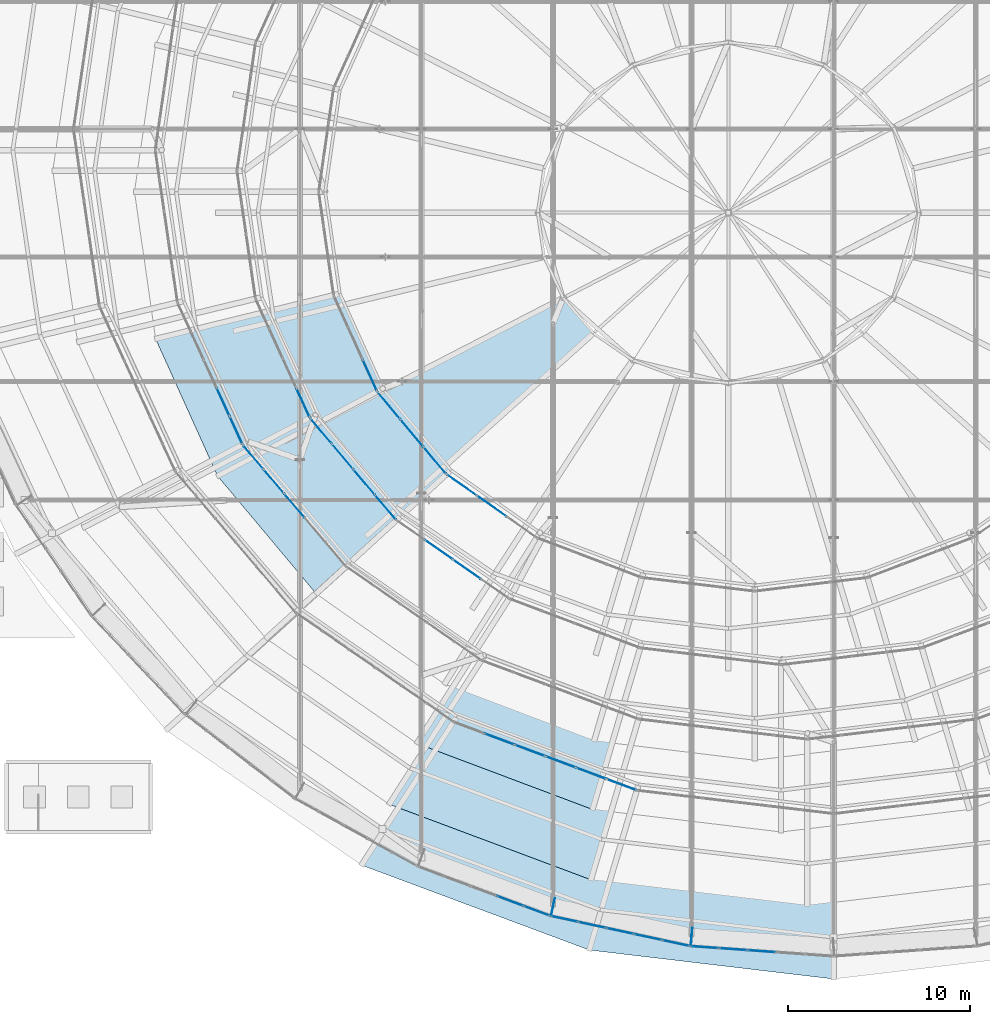
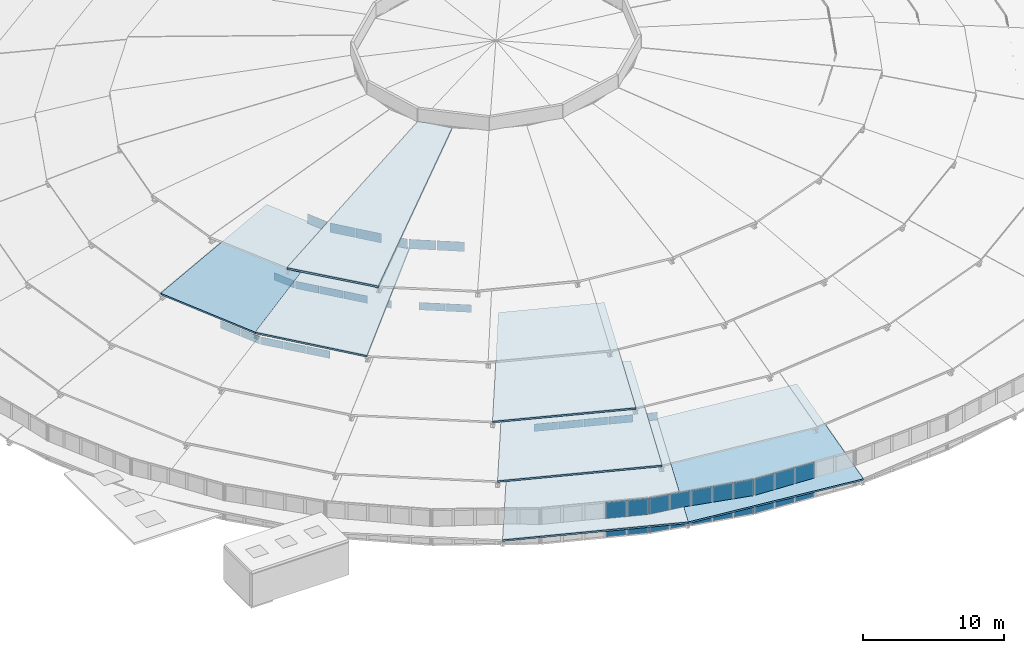
# One storey, part 143 of 173: 45 plates, 7 slabs, 17 elements without a shape of their own.
"""IFC4 building model written with IfcOpenShell, lengths in metres."""

import ifcopenshell
import ifcopenshell.guid

model = None  # the IFC model being written
_history = None  # IfcOwnerHistory: only IFC2X3 demands one
_inside = {}  # id of a spatial element -> (the spatial element, [elements in it])
_under = {}  # id of a project, library or spatial element -> (it, [spatial elements below it])
_declared = {}  # id of a project -> (the project, [libraries it declares])
_typed = {}  # id of a type object -> (the type object, [elements of that type])
_made_of = {}  # id of a material, layer set ... -> (it, [elements and type objects made of it])


def new_model(schema):
    """Start an empty IFC model of exactly this schema.

    Asked for "IFC4X3", IfcOpenShell would pick the latest addendum, in which some entities
    have other attributes; the version numbers below select the first issue.
    IFC2X3 requires an IfcOwnerHistory on every rooted entity: one is made here for all.
    """
    global model, _history
    if schema == "IFC4X3":
        model = ifcopenshell.file(schema_version=(4, 3, 0, 0))
    else:
        model = ifcopenshell.file(schema=schema)
    _inside.clear()
    _under.clear()
    _declared.clear()
    _typed.clear()
    _made_of.clear()
    _history = None
    if model.schema == "IFC2X3":
        org = make("IfcOrganization", Name="unknown")
        user = make(
            "IfcPersonAndOrganization",
            ThePerson=make("IfcPerson", FamilyName="unknown"),
            TheOrganization=org,
        )
        app = make(
            "IfcApplication",
            ApplicationDeveloper=org,
            Version="unknown",
            ApplicationFullName="unknown",
            ApplicationIdentifier="unknown",
        )
        _history = make(
            "IfcOwnerHistory",
            OwningUser=user,
            OwningApplication=app,
            ChangeAction="ADDED",
            CreationDate=0,
        )
    return model


def make(cls, **values):
    """One entity of the class cls with the attributes given. An attribute that is None is left unset."""
    return model.create_entity(
        cls, **{name: value for name, value in values.items() if value is not None}
    )


def rooted(cls, **values):
    """An entity with a GlobalId (a new one), such as an element, a storey or a relation."""
    return make(cls, GlobalId=ifcopenshell.guid.new(), OwnerHistory=_history, **values)


def si_unit(unit_type, name, prefix=None):
    """IfcSIUnit, for example si_unit("LENGTHUNIT", "METRE", prefix="MILLI")."""
    return make("IfcSIUnit", UnitType=unit_type, Prefix=prefix, Name=name)


def assignment(units):
    """IfcUnitAssignment: the units of a project."""
    return None if units is None else make("IfcUnitAssignment", Units=units)


def point(xyz):
    """IfcCartesianPoint."""
    return None if xyz is None else make("IfcCartesianPoint", Coordinates=xyz)


def direction(xyz):
    """IfcDirection."""
    return None if xyz is None else make("IfcDirection", DirectionRatios=xyz)


def frame(location, z_axis=None, x_axis=None):
    """IfcAxis2Placement3D, a coordinate frame: its origin and axes. An axis left out is left unset."""
    return make(
        "IfcAxis2Placement3D",
        Location=point(location),
        Axis=direction(z_axis),
        RefDirection=direction(x_axis),
    )


def frame_2d(location, x_axis=None):
    """IfcAxis2Placement2D, a coordinate frame in the plane: its origin and x axis."""
    return make(
        "IfcAxis2Placement2D", Location=point(location), RefDirection=direction(x_axis)
    )


def origin():
    """The frame at (0, 0, 0) with its axes left unset."""
    return frame((0.0, 0.0, 0.0))


def origin_2d():
    """The frame at (0, 0) in the plane with its x axis left unset."""
    return frame_2d((0.0, 0.0))


def place(relative_to, where):
    """IfcLocalPlacement: puts the frame where relative to a parent placement (None: the world)."""
    return make(
        "IfcLocalPlacement", PlacementRelTo=relative_to, RelativePlacement=where
    )


def context(
    kind, dimensions, precision=None, world=None, true_north=None, identifier=None
):
    """IfcGeometricRepresentationContext, for example the 3D "Model" context."""
    return make(
        "IfcGeometricRepresentationContext",
        ContextIdentifier=identifier,
        ContextType=kind,
        CoordinateSpaceDimension=dimensions,
        Precision=precision,
        WorldCoordinateSystem=world,
        TrueNorth=true_north,
    )


def subcontext(parent, identifier, kind, view, scale=None):
    """IfcGeometricRepresentationSubContext, for example "Body" below "Model"."""
    return make(
        "IfcGeometricRepresentationSubContext",
        ContextIdentifier=identifier,
        ContextType=kind,
        ParentContext=parent,
        TargetScale=scale,
        TargetView=view,
    )


def project(units=None, contexts=None):
    """IfcProject with its units and contexts."""
    return rooted(
        "IfcProject",
        Name="project",
        RepresentationContexts=contexts,
        UnitsInContext=assignment(units),
    )


def spatial(cls, under=None, at=None, **own):
    """A site, building, storey or space (cls), placed at a placement, below another one or the project."""
    s = rooted(cls, ObjectPlacement=at, **own)
    if under is not None:
        _under.setdefault(under.id(), (under, []))[1].append(s)
    return s


def polyline(points):
    """IfcPolyline through the points."""
    return make("IfcPolyline", Points=[point(p) for p in points])


def profile(cls, at=None, kind="AREA", **sizes):
    """A parametric profile (cls). Its sizes go by their IFC names, for example OverallWidth=200.0."""
    return make(cls, ProfileType=kind, Position=at, **sizes)


def rectangle(**sizes):
    """IfcRectangleProfileDef."""
    return profile("IfcRectangleProfileDef", **sizes)


def outline(outer, holes=None, kind="AREA"):
    """IfcArbitraryClosedProfileDef: a profile drawn as a closed curve; with holes, ...WithVoids."""
    if holes is None:
        return make("IfcArbitraryClosedProfileDef", ProfileType=kind, OuterCurve=outer)
    return make(
        "IfcArbitraryProfileDefWithVoids",
        ProfileType=kind,
        OuterCurve=outer,
        InnerCurves=holes,
    )


def extrude(swept, where, along, depth):
    """IfcExtrudedAreaSolid: the profile swept, set in the frame where, extruded along a direction by depth."""
    return make(
        "IfcExtrudedAreaSolid",
        SweptArea=swept,
        Position=where,
        ExtrudedDirection=direction(along),
        Depth=depth,
    )


def shape(context_of_items, identifier, shape_type, items):
    """IfcShapeRepresentation: the items that make up one representation, for example the "Body"."""
    return make(
        "IfcShapeRepresentation",
        ContextOfItems=context_of_items,
        RepresentationIdentifier=identifier,
        RepresentationType=shape_type,
        Items=items,
    )


def material(Name=None, Category=None):
    """IfcMaterial."""
    return make("IfcMaterial", Name=Name, Category=Category)


def layer(
    of_material, thickness, ventilated=None, Name=None, Category=None, Priority=None
):
    """IfcMaterialLayer: one layer of a wall or slab, of a material (None: an air gap)."""
    return make(
        "IfcMaterialLayer",
        Material=of_material,
        LayerThickness=thickness,
        IsVentilated=ventilated,
        Name=Name,
        Category=Category,
        Priority=Priority,
    )


def layer_set(layers, Name=None):
    """IfcMaterialLayerSet."""
    return make("IfcMaterialLayerSet", MaterialLayers=layers, LayerSetName=Name)


def made_of(thing, what):
    """Note that an element or type object is made of a material, layer set ...; save() writes the relation."""
    if what is not None:
        _made_of.setdefault(what.id(), (what, []))[1].append(thing)
    return thing


def type_object(cls, material=None, **own):
    """A type object (cls), such as IfcWallType, which elements share."""
    return made_of(rooted(cls, **own), material)


def element(
    cls,
    number,
    at=None,
    inside=None,
    cuts=None,
    type_object=None,
    material=None,
    context=None,
    identifier="Body",
    shape_type=None,
    held_by="IfcProductDefinitionShape",
    body=None,
    shapes=None,
    **own,
):
    """One element of the class cls, such as IfcWall. Its Tag is "e" and its number.

    at: its placement. inside: the storey or other place that contains it. cuts: it is an
    opening in that element (IfcRelVoidsElement). A single representation is given by context,
    identifier, shape_type and body (its items); several are given by shapes. held_by: the class
    of the entity that holds the representations. save() writes the other relations.
    """
    e = rooted(cls, Tag="e%d" % number, ObjectPlacement=at, **own)
    if body is not None:
        shapes = [shape(context, identifier, shape_type, body)]
    if shapes is not None:
        e.Representation = make(held_by, Representations=shapes)
    if inside is not None:
        _inside.setdefault(inside.id(), (inside, []))[1].append(e)
    if cuts is not None:
        rooted(
            "IfcRelVoidsElement", RelatingBuildingElement=cuts, RelatedOpeningElement=e
        )
    if type_object is not None:
        _typed.setdefault(type_object.id(), (type_object, []))[1].append(e)
    return made_of(e, material)


def aggregate(whole, parts):
    """IfcRelAggregates: a whole, such as a stair, and the parts it consists of."""
    return rooted("IfcRelAggregates", RelatingObject=whole, RelatedObjects=parts)


def save(model, path):
    """Write the relations noted so far, then the file.

    IfcRelAggregates (storeys below a building ...), IfcRelContainedInSpatialStructure (elements
    in a storey), IfcRelDefinesByType, IfcRelAssociatesMaterial and IfcRelDeclares: one each for
    every whole, place, type object, material and project.
    """
    for whole, parts in _under.values():
        aggregate(whole, parts)
    for where, things in _inside.values():
        rooted(
            "IfcRelContainedInSpatialStructure",
            RelatedElements=things,
            RelatingStructure=where,
        )
    for kind, things in _typed.values():
        rooted("IfcRelDefinesByType", RelatedObjects=things, RelatingType=kind)
    for what, things in _made_of.values():
        rooted("IfcRelAssociatesMaterial", RelatedObjects=things, RelatingMaterial=what)
    for by, libraries in _declared.values():
        rooted("IfcRelDeclares", RelatingContext=by, RelatedDefinitions=libraries)
    model.write(path)


model = new_model("IFC4")

# Units and contexts
model_context = context("Model", 3, precision=1e-05, world=origin(), true_north=direction((0.0, 1.0)))
body_context = subcontext(model_context, "Body", "Model", "MODEL_VIEW")
ifc_project = project(units=[si_unit("LENGTHUNIT", "METRE"), si_unit("AREAUNIT", "SQUARE_METRE"), si_unit("VOLUMEUNIT", "CUBIC_METRE"), si_unit("PLANEANGLEUNIT", "RADIAN"), si_unit("MASSUNIT", "GRAM", prefix="KILO")], contexts=[model_context])

# Site, building, storey
site_placement = place(None, origin())
site = spatial("IfcSite", under=ifc_project, at=site_placement, CompositionType="ELEMENT")
building_placement = place(site_placement, origin())
building = spatial("IfcBuilding", under=site, at=building_placement, Name="Glasvene Arena", CompositionType="ELEMENT")
storey_placement = place(building_placement, frame((0.0, 0.0, 28.800048828125)))
storey = spatial("IfcBuildingStorey", under=building, at=storey_placement, Name="RF", CompositionType="ELEMENT", Elevation=28.800048828125)

# Curtain wall, plates
ifc_material_1 = material(Name="Low-emissivity laminated double glazing", Category="glass")
curtain_wall_type_1 = type_object("IfcCurtainWallType", Name="CW-PET1-1077x75", PredefinedType="USERDEFINED", material=ifc_material_1)
curtain_wall_1_placement = place(storey_placement, frame((71.074951171875, 40.350830078125, 0.0)))
curtain_wall_1 = element("IfcCurtainWall", 1, at=curtain_wall_1_placement, inside=storey, type_object=curtain_wall_type_1, Name="Petal ring 1-2 clerestory curtain wall 17", ObjectType="CURTAIN WALL", PredefinedType="USERDEFINED")
ifc_layer_1 = layer(ifc_material_1, 0.028076171875)
ifc_layer_set_1 = layer_set([ifc_layer_1], Name="Low-emissivity laminated double glazing")
plate_type_1 = type_object("IfcPlateType", Name="CW-GLZ-28", PredefinedType="CURTAIN_PANEL", material=ifc_layer_set_1)
plate_1_placement = place(storey_placement, frame((73.598388671875, 39.4091796875, 2.6298828125), z_axis=(0.0, 0.0, 1.0), x_axis=(0.936902411354, -0.349591006176, 0.0)))
plate_1 = element("IfcPlate", 2, at=plate_1_placement, type_object=plate_type_1, Name="CW-085 panel 2.1", PredefinedType="CURTAIN_PANEL", context=body_context, shape_type="SweptSolid", body=[
    extrude(rectangle(XDim=1.74560546875, YDim=0.028076171875, at=origin_2d()), origin(), (0.0, 0.0, 1.0), 0.64990234375),
])
plate_2_placement = place(storey_placement, frame((75.280517578125, 38.781494140625, 2.6298828125), z_axis=(0.0, 0.0, 1.0), x_axis=(0.936902411354, -0.349591006176, 0.0)))
plate_2 = element("IfcPlate", 3, at=plate_2_placement, type_object=plate_type_1, Name="CW-085 panel 3.1", PredefinedType="CURTAIN_PANEL", context=body_context, shape_type="SweptSolid", body=[
    extrude(rectangle(XDim=1.74560546875, YDim=0.028076171875, at=origin_2d()), origin(), (0.0, 0.0, 1.0), 0.64990234375),
])
plate_3_placement = place(storey_placement, frame((76.962890625, 38.15380859375, 2.6298828125), z_axis=(0.0, 0.0, 1.0), x_axis=(0.936902411354, -0.349591006176, 0.0)))
plate_3 = element("IfcPlate", 4, at=plate_3_placement, type_object=plate_type_1, Name="CW-085 panel 4.1", PredefinedType="CURTAIN_PANEL", context=body_context, shape_type="SweptSolid", body=[
    extrude(rectangle(XDim=1.74560546875, YDim=0.028076171875, at=origin_2d()), origin(), (0.0, 0.0, 1.0), 0.64990234375),
])
plate_4_placement = place(storey_placement, frame((78.64501953125, 37.526123046875, 2.6298828125), z_axis=(0.0, 0.0, 1.0), x_axis=(0.936902411354, -0.349591006176, 0.0)))
plate_4 = element("IfcPlate", 5, at=plate_4_placement, type_object=plate_type_1, Name="CW-085 panel 5.1", PredefinedType="CURTAIN_PANEL", context=body_context, shape_type="SweptSolid", body=[
    extrude(rectangle(XDim=1.74560546875, YDim=0.028076171875, at=origin_2d()), origin(), (0.0, 0.0, 1.0), 0.64990234375),
])
plate_5_placement = place(storey_placement, frame((80.315673828125, 36.90283203125, 2.6298828125), z_axis=(0.0, 0.0, 1.0), x_axis=(0.936902411354, -0.349591006176, 0.0)))
plate_5 = element("IfcPlate", 6, at=plate_5_placement, type_object=plate_type_1, Name="CW-085 panel 6.1", PredefinedType="CURTAIN_PANEL", context=body_context, shape_type="SweptSolid", body=[
    extrude(rectangle(XDim=1.720458984375, YDim=0.028076171875, at=origin_2d()), origin(), (0.0, 0.0, 1.0), 0.64990234375),
])
aggregate(curtain_wall_1, [plate_1, plate_2, plate_3, plate_4, plate_5])

curtain_wall_type_2 = type_object("IfcCurtainWallType", Name="CW-PET2-861x75", PredefinedType="USERDEFINED", material=ifc_material_1)
curtain_wall_2_placement = place(storey_placement, frame((55.873291015625, 63.451416015625, 0.0)))
curtain_wall_2 = element("IfcCurtainWall", 7, at=curtain_wall_2_placement, inside=storey, type_object=curtain_wall_type_2, Name="Petal ring 2-3 clerestory curtain wall 14", ObjectType="CURTAIN WALL", PredefinedType="USERDEFINED")
plate_6_placement = place(storey_placement, frame((58.3837890625, 57.972900390625, 5.22998046875), z_axis=(0.0, 0.0, 1.0), x_axis=(0.416591913749, -0.909093602111, 0.0)))
plate_6 = element("IfcPlate", 8, at=plate_6_placement, type_object=plate_type_1, Name="CW-088 panel 4.1", PredefinedType="CURTAIN_PANEL", context=body_context, shape_type="SweptSolid", body=[
    extrude(rectangle(XDim=1.671875, YDim=0.028076171875, at=origin_2d()), origin(), (0.0, 0.0, 1.0), 0.64990234375),
])
plate_7_placement = place(storey_placement, frame((59.095947265625, 56.4189453125, 5.22998046875), z_axis=(0.0, 0.0, 1.0), x_axis=(0.416591913749, -0.909093602111, 0.0)))
plate_7 = element("IfcPlate", 9, at=plate_7_placement, type_object=plate_type_1, Name="CW-088 panel 5.1", PredefinedType="CURTAIN_PANEL", context=body_context, shape_type="SweptSolid", body=[
    extrude(rectangle(XDim=1.646728515625, YDim=0.028076171875, at=origin_2d()), origin(), (0.0, 0.0, 1.0), 0.64990234375),
])
aggregate(curtain_wall_2, [plate_6, plate_7])

curtain_wall_type_3 = type_object("IfcCurtainWallType", Name="CW-PET2-882x75", PredefinedType="USERDEFINED", material=ifc_material_1)
curtain_wall_3_placement = place(storey_placement, frame((59.459716796875, 55.625, 0.0)))
curtain_wall_3 = element("IfcCurtainWall", 10, at=curtain_wall_3_placement, inside=storey, type_object=curtain_wall_type_3, Name="Petal ring 2-3 clerestory curtain wall 15", ObjectType="CURTAIN WALL", PredefinedType="USERDEFINED")
plate_8_placement = place(storey_placement, frame((60.038330078125, 54.943359375, 5.22998046875), z_axis=(0.0, 0.0, 1.0), x_axis=(0.647166893632, -0.762348353305, 0.0)))
plate_8 = element("IfcPlate", 11, at=plate_8_placement, type_object=plate_type_1, Name="CW-089 panel 1.1", PredefinedType="CURTAIN_PANEL", context=body_context, shape_type="SweptSolid", body=[
    extrude(rectangle(XDim=1.688232421875, YDim=0.028076171875, at=origin_2d()), origin(), (0.0, 0.0, 1.0), 0.64990234375),
])
plate_9_placement = place(storey_placement, frame((61.171142578125, 53.60888671875, 5.22998046875), z_axis=(0.0, 0.0, 1.0), x_axis=(0.647166893632, -0.762348353305, 0.0)))
plate_9 = element("IfcPlate", 12, at=plate_9_placement, type_object=plate_type_1, Name="CW-089 panel 2.1", PredefinedType="CURTAIN_PANEL", context=body_context, shape_type="SweptSolid", body=[
    extrude(rectangle(XDim=1.713134765625, YDim=0.028076171875, at=origin_2d()), origin(), (0.0, 0.0, 1.0), 0.64990234375),
])
plate_10_placement = place(storey_placement, frame((62.312255859375, 52.2646484375, 5.22998046875), z_axis=(0.0, 0.0, 1.0), x_axis=(0.647166893632, -0.762348353305, 0.0)))
plate_10 = element("IfcPlate", 13, at=plate_10_placement, type_object=plate_type_1, Name="CW-089 panel 3.1", PredefinedType="CURTAIN_PANEL", context=body_context, shape_type="SweptSolid", body=[
    extrude(rectangle(XDim=1.713134765625, YDim=0.028076171875, at=origin_2d()), origin(), (0.0, 0.0, 1.0), 0.64990234375),
])
aggregate(curtain_wall_3, [plate_8, plate_9, plate_10])

# Curtain wall, plate
curtain_wall_type_4 = type_object("IfcCurtainWallType", Name="CW-PET3-721x75", PredefinedType="USERDEFINED", material=ifc_material_1)
curtain_wall_4_placement = place(storey_placement, frame((60.17041015625, 63.66015625, 0.0)))
curtain_wall_4 = element("IfcCurtainWall", 14, at=curtain_wall_4_placement, inside=storey, type_object=curtain_wall_type_4, Name="Petal ring 3-4 clerestory curtain wall 14", ObjectType="CURTAIN WALL", PredefinedType="USERDEFINED")
plate_11_placement = place(storey_placement, frame((62.783203125, 57.931396484375, 7.8798828125), z_axis=(0.0, 0.0, 1.0), x_axis=(0.414967716717, -0.909836135842, 0.0)))
plate_11 = element("IfcPlate", 15, at=plate_11_placement, type_object=plate_type_1, Name="CW-094 panel 4.1", PredefinedType="CURTAIN_PANEL", context=body_context, shape_type="SweptSolid", body=[
    extrude(rectangle(XDim=1.7275390625, YDim=0.028076171875, at=origin_2d()), origin(), (0.0, 0.0, 1.0), 0.64990234375),
])
aggregate(curtain_wall_4, [plate_11])

# Curtain wall, plates
curtain_wall_type_5 = type_object("IfcCurtainWallType", Name="CW-PET3-737x75", PredefinedType="USERDEFINED", material=ifc_material_1)
curtain_wall_5_placement = place(storey_placement, frame((63.16259765625, 57.10009765625, 0.0)))
curtain_wall_5 = element("IfcCurtainWall", 16, at=curtain_wall_5_placement, inside=storey, type_object=curtain_wall_type_5, Name="Petal ring 3-4 clerestory curtain wall 15", ObjectType="CURTAIN WALL", PredefinedType="USERDEFINED")
plate_12_placement = place(storey_placement, frame((63.765625, 56.38623046875, 7.8798828125), z_axis=(0.0, 0.0, 1.0), x_axis=(0.645393801566, -0.763850012044, 0.0)))
plate_12 = element("IfcPlate", 17, at=plate_12_placement, type_object=plate_type_1, Name="CW-095 panel 1.1", PredefinedType="CURTAIN_PANEL", context=body_context, shape_type="SweptSolid", body=[
    extrude(rectangle(XDim=1.768798828125, YDim=0.028076171875, at=origin_2d()), origin(), (0.0, 0.0, 1.0), 0.64990234375),
])
plate_13_placement = place(storey_placement, frame((64.947265625, 54.987548828125, 7.8798828125), z_axis=(0.0, 0.0, 1.0), x_axis=(0.645393801566, -0.763850012044, 0.0)))
plate_13 = element("IfcPlate", 18, at=plate_13_placement, type_object=plate_type_1, Name="CW-095 panel 2.1", PredefinedType="CURTAIN_PANEL", context=body_context, shape_type="SweptSolid", body=[
    extrude(rectangle(XDim=1.793701171875, YDim=0.028076171875, at=origin_2d()), origin(), (0.0, 0.0, 1.0), 0.64990234375),
])
plate_14_placement = place(storey_placement, frame((66.13720703125, 53.5791015625, 7.8798828125), z_axis=(0.0, 0.0, 1.0), x_axis=(0.645393801566, -0.763850012044, 0.0)))
plate_14 = element("IfcPlate", 19, at=plate_14_placement, type_object=plate_type_1, Name="CW-095 panel 3.1", PredefinedType="CURTAIN_PANEL", context=body_context, shape_type="SweptSolid", body=[
    extrude(rectangle(XDim=1.793701171875, YDim=0.028076171875, at=origin_2d()), origin(), (0.0, 0.0, 1.0), 0.64990234375),
])
plate_15_placement = place(storey_placement, frame((67.319091796875, 52.180419921875, 7.8798828125), z_axis=(0.0, 0.0, 1.0), x_axis=(0.645393801566, -0.763850012044, 0.0)))
plate_15 = element("IfcPlate", 20, at=plate_15_placement, type_object=plate_type_1, Name="CW-095 panel 4.1", PredefinedType="CURTAIN_PANEL", context=body_context, shape_type="SweptSolid", body=[
    extrude(rectangle(XDim=1.768798828125, YDim=0.028076171875, at=origin_2d()), origin(), (0.0, 0.0, 1.0), 0.64990234375),
])
aggregate(curtain_wall_5, [plate_12, plate_13, plate_14, plate_15])

curtain_wall_type_6 = type_object("IfcCurtainWallType", Name="CW-PET3-756x75", PredefinedType="USERDEFINED", material=ifc_material_1)
curtain_wall_6_placement = place(storey_placement, frame((67.922119140625, 51.466796875, 0.0)))
curtain_wall_6 = element("IfcCurtainWall", 21, at=curtain_wall_6_placement, inside=storey, type_object=curtain_wall_type_6, Name="Petal ring 3-4 clerestory curtain wall 16", ObjectType="CURTAIN WALL", PredefinedType="USERDEFINED")
plate_16_placement = place(storey_placement, frame((70.248291015625, 49.845703125, 7.8798828125), z_axis=(0.0, 0.0, 1.0), x_axis=(0.82043313701, -0.571742483725, 0.0)))
plate_16 = element("IfcPlate", 22, at=plate_16_placement, type_object=plate_type_1, Name="CW-096 panel 2.1", PredefinedType="CURTAIN_PANEL", context=body_context, shape_type="SweptSolid", body=[
    extrude(rectangle(XDim=1.840087890625, YDim=0.028076171875, at=origin_2d()), origin(), (0.0, 0.0, 1.0), 0.64990234375),
])
plate_17_placement = place(storey_placement, frame((71.798828125, 48.76513671875, 7.8798828125), z_axis=(0.0, 0.0, 1.0), x_axis=(0.82043313701, -0.571742483725, 0.0)))
plate_17 = element("IfcPlate", 23, at=plate_17_placement, type_object=plate_type_1, Name="CW-096 panel 3.1", PredefinedType="CURTAIN_PANEL", context=body_context, shape_type="SweptSolid", body=[
    extrude(rectangle(XDim=1.840087890625, YDim=0.028076171875, at=origin_2d()), origin(), (0.0, 0.0, 1.0), 0.64990234375),
])
aggregate(curtain_wall_6, [plate_16, plate_17])

# Curtain wall, plate
curtain_wall_type_7 = type_object("IfcCurtainWallType", Name="CW-PET4-582x92", PredefinedType="USERDEFINED", material=ifc_material_1)
curtain_wall_7_placement = place(storey_placement, frame((64.4677734375, 63.85595703125, 0.0)))
curtain_wall_7 = element("IfcCurtainWall", 24, at=curtain_wall_7_placement, inside=storey, type_object=curtain_wall_type_7, Name="Petal ring 4-5 clerestory curtain wall 14", ObjectType="CURTAIN WALL", PredefinedType="USERDEFINED")
plate_18_placement = place(storey_placement, frame((66.460693359375, 59.44580078125, 10.580078125), z_axis=(0.0, 0.0, 1.0), x_axis=(0.411778142566, -0.911284127649, 0.0)))
plate_18 = element("IfcPlate", 25, at=plate_18_placement, type_object=plate_type_1, Name="CW-100 panel 3.1", PredefinedType="CURTAIN_PANEL", context=body_context, shape_type="SweptSolid", body=[
    extrude(rectangle(XDim=1.865966796875, YDim=0.028076171875, at=origin_2d()), origin(), (0.0, 0.0, 1.0), 0.81591796875),
])
aggregate(curtain_wall_7, [plate_18])

# Curtain wall, plates
curtain_wall_type_8 = type_object("IfcCurtainWallType", Name="CW-PET4-594x92", PredefinedType="USERDEFINED", material=ifc_material_1)
curtain_wall_8_placement = place(storey_placement, frame((66.865478515625, 58.550048828125, 0.0)))
curtain_wall_8 = element("IfcCurtainWall", 26, at=curtain_wall_8_placement, inside=storey, type_object=curtain_wall_type_8, Name="Petal ring 4-5 clerestory curtain wall 15", ObjectType="CURTAIN WALL", PredefinedType="USERDEFINED")
plate_19_placement = place(storey_placement, frame((67.509033203125, 57.781005859375, 10.580078125), z_axis=(0.0, 0.0, 1.0), x_axis=(0.64187958935, -0.766805446496, 0.0)))
plate_19 = element("IfcPlate", 27, at=plate_19_placement, type_object=plate_type_1, Name="CW-101 panel 1.1", PredefinedType="CURTAIN_PANEL", context=body_context, shape_type="SweptSolid", body=[
    extrude(rectangle(XDim=1.90576171875, YDim=0.028076171875, at=origin_2d()), origin(), (0.0, 0.0, 1.0), 0.81591796875),
])
plate_20_placement = place(storey_placement, frame((68.7724609375, 56.271728515625, 10.580078125), z_axis=(0.0, 0.0, 1.0), x_axis=(0.64187958935, -0.766805446496, 0.0)))
plate_20 = element("IfcPlate", 28, at=plate_20_placement, type_object=plate_type_1, Name="CW-101 panel 2.1", PredefinedType="CURTAIN_PANEL", context=body_context, shape_type="SweptSolid", body=[
    extrude(rectangle(XDim=1.9306640625, YDim=0.028076171875, at=origin_2d()), origin(), (0.0, 0.0, 1.0), 0.81591796875),
])
plate_21_placement = place(storey_placement, frame((70.03564453125, 54.7626953125, 10.580078125), z_axis=(0.0, 0.0, 1.0), x_axis=(0.64187958935, -0.766805446496, 0.0)))
plate_21 = element("IfcPlate", 29, at=plate_21_placement, type_object=plate_type_1, Name="CW-101 panel 3.1", PredefinedType="CURTAIN_PANEL", context=body_context, shape_type="SweptSolid", body=[
    extrude(rectangle(XDim=1.90576171875, YDim=0.028076171875, at=origin_2d()), origin(), (0.0, 0.0, 1.0), 0.81591796875),
])
aggregate(curtain_wall_8, [plate_19, plate_20, plate_21])

curtain_wall_type_9 = type_object("IfcCurtainWallType", Name="CW-PET4-608x92", PredefinedType="USERDEFINED", material=ifc_material_1)
curtain_wall_9_placement = place(storey_placement, frame((70.679443359375, 53.99365234375, 0.0)))
curtain_wall_9 = element("IfcCurtainWall", 30, at=curtain_wall_9_placement, inside=storey, type_object=curtain_wall_type_9, Name="Petal ring 4-5 clerestory curtain wall 16", ObjectType="CURTAIN WALL", PredefinedType="USERDEFINED")
plate_22_placement = place(storey_placement, frame((71.51806640625, 53.40380859375, 10.580078125), z_axis=(0.0, 0.0, 1.0), x_axis=(0.817924864707, -0.575325052204, 0.0)))
plate_22 = element("IfcPlate", 31, at=plate_22_placement, type_object=plate_type_1, Name="CW-102 panel 1.1", PredefinedType="CURTAIN_PANEL", context=body_context, shape_type="SweptSolid", body=[
    extrude(rectangle(XDim=1.95068359375, YDim=0.028076171875, at=origin_2d()), origin(), (0.0, 0.0, 1.0), 0.81591796875),
])
plate_23_placement = place(storey_placement, frame((73.164794921875, 52.24560546875, 10.580078125), z_axis=(0.0, 0.0, 1.0), x_axis=(0.817924864707, -0.575325052204, 0.0)))
plate_23 = element("IfcPlate", 32, at=plate_23_placement, type_object=plate_type_1, Name="CW-102 panel 2.1", PredefinedType="CURTAIN_PANEL", context=body_context, shape_type="SweptSolid", body=[
    extrude(rectangle(XDim=1.9755859375, YDim=0.028076171875, at=origin_2d()), origin(), (0.0, 0.0, 1.0), 0.81591796875),
])
aggregate(curtain_wall_9, [plate_22, plate_23])

curtain_wall_type_10 = type_object("IfcCurtainWallType", Name="CW-DRUM-782x310", PredefinedType="USERDEFINED", material=ifc_material_1)
curtain_wall_10_placement = place(storey_placement, frame((69.05078125, 32.414794921875, 0.0)))
curtain_wall_10 = element("IfcCurtainWall", 33, at=curtain_wall_10_placement, inside=storey, type_object=curtain_wall_type_10, Name="Crown compression-ring fascia curtain wall 28", ObjectType="CURTAIN WALL", PredefinedType="USERDEFINED")
ifc_material_2 = material(Name="Insulated shadow-box spandrel panel")
ifc_layer_2 = layer(ifc_material_2, 0.02392578125)
ifc_layer_set_2 = layer_set([ifc_layer_2], Name="Insulated shadow-box spandrel panel")
plate_type_2 = type_object("IfcPlateType", Name="CW-SPN-24", PredefinedType="CURTAIN_PANEL", material=ifc_layer_set_2)
plate_24_placement = place(storey_placement, frame((74.1806640625, 30.5, -1.330078125), z_axis=(0.0, 0.0, 1.0), x_axis=(0.936868153311, -0.349682803856, 0.0)))
plate_24 = element("IfcPlate", 34, at=plate_24_placement, type_object=plate_type_2, Name="CW-078 panel 4.1", PredefinedType="CURTAIN_PANEL", context=body_context, shape_type="SweptSolid", body=[
    extrude(rectangle(XDim=1.514404296875, YDim=0.02392578125, at=origin_2d()), origin(), (0.0, 0.0, 1.0), 1.324951171875),
])
plate_25_placement = place(storey_placement, frame((74.1806640625, 30.5, 0.044921875), z_axis=(0.0, 0.0, 1.0), x_axis=(0.936868153311, -0.349682803856, 0.0)))
plate_25 = element("IfcPlate", 35, at=plate_25_placement, type_object=plate_type_2, Name="CW-078 panel 4.2", PredefinedType="CURTAIN_PANEL", context=body_context, shape_type="SweptSolid", body=[
    extrude(rectangle(XDim=1.514404296875, YDim=0.02392578125, at=origin_2d()), origin(), (0.0, 0.0, 1.0), 1.625),
])
plate_26_placement = place(storey_placement, frame((75.634765625, 29.957275390625, -1.330078125), z_axis=(0.0, 0.0, 1.0), x_axis=(0.936868153311, -0.349682803856, 0.0)))
plate_26 = element("IfcPlate", 36, at=plate_26_placement, type_object=plate_type_2, Name="CW-078 panel 5.1", PredefinedType="CURTAIN_PANEL", context=body_context, shape_type="SweptSolid", body=[
    extrude(rectangle(XDim=1.489501953125, YDim=0.02392578125, at=origin_2d()), origin(), (0.0, 0.0, 1.0), 1.324951171875),
])
plate_27_placement = place(storey_placement, frame((75.634765625, 29.957275390625, 0.044921875), z_axis=(0.0, 0.0, 1.0), x_axis=(0.936868153311, -0.349682803856, 0.0)))
plate_27 = element("IfcPlate", 37, at=plate_27_placement, type_object=plate_type_2, Name="CW-078 panel 5.2", PredefinedType="CURTAIN_PANEL", context=body_context, shape_type="SweptSolid", body=[
    extrude(rectangle(XDim=1.489501953125, YDim=0.02392578125, at=origin_2d()), origin(), (0.0, 0.0, 1.0), 1.625),
])
aggregate(curtain_wall_10, [plate_24, plate_25, plate_26, plate_27])

curtain_wall_type_11 = type_object("IfcCurtainWallType", Name="CW-DRUM-789x310", PredefinedType="USERDEFINED", material=ifc_material_1)
curtain_wall_11_placement = place(storey_placement, frame((76.379150390625, 29.679443359375, 0.0)))
curtain_wall_11 = element("IfcCurtainWall", 38, at=curtain_wall_11_placement, inside=storey, type_object=curtain_wall_type_11, Name="Crown compression-ring fascia curtain wall 29", ObjectType="CURTAIN WALL", PredefinedType="USERDEFINED")
plate_28_placement = place(storey_placement, frame((77.16259765625, 29.510009765625, -1.330078125), z_axis=(0.0, 0.0, 1.0), x_axis=(0.977389964658, -0.211444690135, 0.0)))
plate_28 = element("IfcPlate", 39, at=plate_28_placement, type_object=plate_type_2, Name="CW-079 panel 1.1", PredefinedType="CURTAIN_PANEL", context=body_context, shape_type="SweptSolid", body=[
    extrude(rectangle(XDim=1.503173828125, YDim=0.02392578125, at=origin_2d()), origin(), (0.0, 0.0, 1.0), 1.324951171875),
])
plate_29_placement = place(storey_placement, frame((77.16259765625, 29.510009765625, 0.044921875), z_axis=(0.0, 0.0, 1.0), x_axis=(0.977389964658, -0.211444690135, 0.0)))
plate_29 = element("IfcPlate", 40, at=plate_29_placement, type_object=plate_type_2, Name="CW-079 panel 1.2", PredefinedType="CURTAIN_PANEL", context=body_context, shape_type="SweptSolid", body=[
    extrude(rectangle(XDim=1.503173828125, YDim=0.02392578125, at=origin_2d()), origin(), (0.0, 0.0, 1.0), 1.625),
])
plate_30_placement = place(storey_placement, frame((78.693115234375, 29.1787109375, -1.330078125), z_axis=(0.0, 0.0, 1.0), x_axis=(0.977389964658, -0.211444690135, 0.0)))
plate_30 = element("IfcPlate", 41, at=plate_30_placement, type_object=plate_type_2, Name="CW-079 panel 2.1", PredefinedType="CURTAIN_PANEL", context=body_context, shape_type="SweptSolid", body=[
    extrude(rectangle(XDim=1.5283203125, YDim=0.02392578125, at=origin_2d()), origin(), (0.0, 0.0, 1.0), 1.324951171875),
])
plate_31_placement = place(storey_placement, frame((78.693115234375, 29.1787109375, 0.044921875), z_axis=(0.0, 0.0, 1.0), x_axis=(0.977389964658, -0.211444690135, 0.0)))
plate_31 = element("IfcPlate", 42, at=plate_31_placement, type_object=plate_type_2, Name="CW-079 panel 2.2", PredefinedType="CURTAIN_PANEL", context=body_context, shape_type="SweptSolid", body=[
    extrude(rectangle(XDim=1.5283203125, YDim=0.02392578125, at=origin_2d()), origin(), (0.0, 0.0, 1.0), 1.625),
])
plate_32_placement = place(storey_placement, frame((80.235595703125, 28.84521484375, -1.330078125), z_axis=(0.0, 0.0, 1.0), x_axis=(0.977389964658, -0.211444690135, 0.0)))
plate_32 = element("IfcPlate", 43, at=plate_32_placement, type_object=plate_type_2, Name="CW-079 panel 3.1", PredefinedType="CURTAIN_PANEL", context=body_context, shape_type="SweptSolid", body=[
    extrude(rectangle(XDim=1.5283203125, YDim=0.02392578125, at=origin_2d()), origin(), (0.0, 0.0, 1.0), 1.324951171875),
])
plate_33_placement = place(storey_placement, frame((80.235595703125, 28.84521484375, 0.044921875), z_axis=(0.0, 0.0, 1.0), x_axis=(0.977389964658, -0.211444690135, 0.0)))
plate_33 = element("IfcPlate", 44, at=plate_33_placement, type_object=plate_type_2, Name="CW-079 panel 3.2", PredefinedType="CURTAIN_PANEL", context=body_context, shape_type="SweptSolid", body=[
    extrude(rectangle(XDim=1.5283203125, YDim=0.02392578125, at=origin_2d()), origin(), (0.0, 0.0, 1.0), 1.625),
])
plate_34_placement = place(storey_placement, frame((81.7783203125, 28.511474609375, -1.330078125), z_axis=(0.0, 0.0, 1.0), x_axis=(0.977389964658, -0.211444690135, 0.0)))
plate_34 = element("IfcPlate", 45, at=plate_34_placement, type_object=plate_type_2, Name="CW-079 panel 4.1", PredefinedType="CURTAIN_PANEL", context=body_context, shape_type="SweptSolid", body=[
    extrude(rectangle(XDim=1.5283203125, YDim=0.02392578125, at=origin_2d()), origin(), (0.0, 0.0, 1.0), 1.324951171875),
])
plate_35_placement = place(storey_placement, frame((81.7783203125, 28.511474609375, 0.044921875), z_axis=(0.0, 0.0, 1.0), x_axis=(0.977389964658, -0.211444690135, 0.0)))
plate_35 = element("IfcPlate", 46, at=plate_35_placement, type_object=plate_type_2, Name="CW-079 panel 4.2", PredefinedType="CURTAIN_PANEL", context=body_context, shape_type="SweptSolid", body=[
    extrude(rectangle(XDim=1.5283203125, YDim=0.02392578125, at=origin_2d()), origin(), (0.0, 0.0, 1.0), 1.625),
])
plate_36_placement = place(storey_placement, frame((83.30859375, 28.180419921875, -1.330078125), z_axis=(0.0, 0.0, 1.0), x_axis=(0.977389964658, -0.211444690135, 0.0)))
plate_36 = element("IfcPlate", 47, at=plate_36_placement, type_object=plate_type_2, Name="CW-079 panel 5.1", PredefinedType="CURTAIN_PANEL", context=body_context, shape_type="SweptSolid", body=[
    extrude(rectangle(XDim=1.503173828125, YDim=0.02392578125, at=origin_2d()), origin(), (0.0, 0.0, 1.0), 1.324951171875),
])
plate_37_placement = place(storey_placement, frame((83.30859375, 28.180419921875, 0.044921875), z_axis=(0.0, 0.0, 1.0), x_axis=(0.977389964658, -0.211444690135, 0.0)))
plate_37 = element("IfcPlate", 48, at=plate_37_placement, type_object=plate_type_2, Name="CW-079 panel 5.2", PredefinedType="CURTAIN_PANEL", context=body_context, shape_type="SweptSolid", body=[
    extrude(rectangle(XDim=1.503173828125, YDim=0.02392578125, at=origin_2d()), origin(), (0.0, 0.0, 1.0), 1.625),
])
aggregate(curtain_wall_11, [plate_28, plate_29, plate_30, plate_31, plate_32, plate_33, plate_34, plate_35, plate_36, plate_37])

curtain_wall_type_12 = type_object("IfcCurtainWallType", Name="CW-DRUM-793x310", PredefinedType="USERDEFINED", material=ifc_material_1)
curtain_wall_12_placement = place(storey_placement, frame((84.09228515625, 28.0107421875, 0.0)))
curtain_wall_12 = element("IfcCurtainWall", 49, at=curtain_wall_12_placement, inside=storey, type_object=curtain_wall_type_12, Name="Crown compression-ring fascia curtain wall 30", ObjectType="CURTAIN WALL", PredefinedType="USERDEFINED")
plate_38_placement = place(storey_placement, frame((84.8955078125, 27.953857421875, -1.330078125), z_axis=(0.0, 0.0, 1.0), x_axis=(0.997494812204, -0.07073966092, 0.0)))
plate_38 = element("IfcPlate", 50, at=plate_38_placement, type_object=plate_type_2, Name="CW-080 panel 1.1", PredefinedType="CURTAIN_PANEL", context=body_context, shape_type="SweptSolid", body=[
    extrude(rectangle(XDim=1.510498046875, YDim=0.02392578125, at=origin_2d()), origin(), (0.0, 0.0, 1.0), 1.324951171875),
])
plate_39_placement = place(storey_placement, frame((84.8955078125, 27.953857421875, 0.044921875), z_axis=(0.0, 0.0, 1.0), x_axis=(0.997494812204, -0.07073966092, 0.0)))
plate_39 = element("IfcPlate", 51, at=plate_39_placement, type_object=plate_type_2, Name="CW-080 panel 1.2", PredefinedType="CURTAIN_PANEL", context=body_context, shape_type="SweptSolid", body=[
    extrude(rectangle(XDim=1.510498046875, YDim=0.02392578125, at=origin_2d()), origin(), (0.0, 0.0, 1.0), 1.625),
])
plate_40_placement = place(storey_placement, frame((86.464599609375, 27.842529296875, -1.330078125), z_axis=(0.0, 0.0, 1.0), x_axis=(0.997494812204, -0.07073966092, 0.0)))
plate_40 = element("IfcPlate", 52, at=plate_40_placement, type_object=plate_type_2, Name="CW-080 panel 2.1", PredefinedType="CURTAIN_PANEL", context=body_context, shape_type="SweptSolid", body=[
    extrude(rectangle(XDim=1.53564453125, YDim=0.02392578125, at=origin_2d()), origin(), (0.0, 0.0, 1.0), 1.324951171875),
])
plate_41_placement = place(storey_placement, frame((86.464599609375, 27.842529296875, 0.044921875), z_axis=(0.0, 0.0, 1.0), x_axis=(0.997494812204, -0.07073966092, 0.0)))
plate_41 = element("IfcPlate", 53, at=plate_41_placement, type_object=plate_type_2, Name="CW-080 panel 2.2", PredefinedType="CURTAIN_PANEL", context=body_context, shape_type="SweptSolid", body=[
    extrude(rectangle(XDim=1.53564453125, YDim=0.02392578125, at=origin_2d()), origin(), (0.0, 0.0, 1.0), 1.625),
])
plate_42_placement = place(storey_placement, frame((88.046142578125, 27.73046875, -1.330078125), z_axis=(0.0, 0.0, 1.0), x_axis=(0.997494812204, -0.07073966092, 0.0)))
plate_42 = element("IfcPlate", 54, at=plate_42_placement, type_object=plate_type_2, Name="CW-080 panel 3.1", PredefinedType="CURTAIN_PANEL", context=body_context, shape_type="SweptSolid", body=[
    extrude(rectangle(XDim=1.53564453125, YDim=0.02392578125, at=origin_2d()), origin(), (0.0, 0.0, 1.0), 1.324951171875),
])
plate_43_placement = place(storey_placement, frame((88.046142578125, 27.73046875, 0.044921875), z_axis=(0.0, 0.0, 1.0), x_axis=(0.997494812204, -0.07073966092, 0.0)))
plate_43 = element("IfcPlate", 55, at=plate_43_placement, type_object=plate_type_2, Name="CW-080 panel 3.2", PredefinedType="CURTAIN_PANEL", context=body_context, shape_type="SweptSolid", body=[
    extrude(rectangle(XDim=1.53564453125, YDim=0.02392578125, at=origin_2d()), origin(), (0.0, 0.0, 1.0), 1.625),
])
aggregate(curtain_wall_12, [plate_38, plate_39, plate_40, plate_41, plate_42, plate_43])

# Plates
ifc_material_3 = material(Name="Steel S355J2", Category="steel")
ifc_layer_3 = layer(ifc_material_3, 0.035888671875)
ifc_layer_set_3 = layer_set([ifc_layer_3], Name="Steel S355J2")
plate_type_3 = type_object("IfcPlateType", Name="PL-CAP-36", PredefinedType="SHEET", material=ifc_layer_set_3)
for number, where, z_axis, x_axis, name in (
    (56, (76.54931640625, 30.202392578125, -1.409912109375), (0.0, 0.0, 1.0), (0.977452762534, -0.211154201982, 0.0), "Ring beam node diaphragm cap plate ND-29"),
    (57, (84.17822265625, 28.553955078125, -1.409912109375), (0.0, 0.0, 1.0), (0.997502796416, -0.070626985931, 0.0), "Ring beam node diaphragm cap plate ND-30"),
):
    element("IfcPlate", number, at=place(storey_placement, frame(where, z_axis=z_axis, x_axis=x_axis)), inside=storey, type_object=plate_type_3, Name=name, PredefinedType="SHEET", context=body_context, shape_type="SweptSolid", body=[
        extrude(rectangle(XDim=0.035888671875, YDim=0.919921875, at=origin_2d()), origin(), (0.0, 0.0, 1.0), 1.419921875),
    ])

# Roof, slabs
ifc_material_4 = material(Name="Smooth matte white insulated roof panel")
ifc_layer_4 = layer(ifc_material_4, 0.179931640625)
ifc_layer_set_4 = layer_set([ifc_layer_4], Name="Smooth matte white insulated roof panel")
roof_type = type_object("IfcRoofType", Name="RF-PETAL-ASSY", PredefinedType="PAVILION_ROOF", material=ifc_layer_set_4)
roof_1_placement = place(storey_placement, frame((92.0, 73.0, 0.0)))
roof_1 = element("IfcRoof", 58, at=roof_1_placement, inside=storey, type_object=roof_type, Name="Shifted white elliptical petal roof ring 1", PredefinedType="PAVILION_ROOF")
ifc_material_5 = material(Name="Precast concrete C50/60", Category="concrete")
ifc_layer_5 = layer(ifc_material_5, 0.179931640625)
ifc_layer_set_5 = layer_set([ifc_layer_5], Name="Precast concrete C50/60")
slab_type = type_object("IfcSlabType", Name="SL-PETAL-180", PredefinedType="ROOF", material=ifc_layer_set_5)
slab_1_placement = place(storey_placement, frame((66.0, 32.469970703125, 0.0), z_axis=(-0.088876093687, -0.238411353806, 0.967088965063), x_axis=(0.937009571992, -0.349303681624, -2.20372e-07)))
slab_1 = element("IfcSlab", 59, at=slab_1_placement, type_object=slab_type, Name="White petal roof slab ring 1 bay 17", PredefinedType="ROOF", context=body_context, shape_type="SweptSolid", body=[
    extrude(outline(polyline([(0.0, 0.0), (13.384606253981396, 0.0), (12.742537220942722, 9.825569358369075), (2.0606549970171906, 9.825548514118092), (0.0, 0.0)])), origin(), (0.0, 0.0, -1.0), 0.179931640625),
])
slab_2_placement = place(storey_placement, frame((78.54150390625, 27.794677734375, 0.0), z_axis=(-0.030290710869, -0.255636062325, 0.966298440687), x_axis=(0.993052876715, -0.117668959578, -1.57217e-07)))
slab_2 = element("IfcSlab", 60, at=slab_2_placement, type_object=slab_type, Name="White petal roof slab ring 1 bay 18", PredefinedType="ROOF", context=body_context, shape_type="SweptSolid", body=[
    extrude(outline(polyline([(0.0, 0.0), (13.552648077575917, 2.220446049250313e-16), (12.440681762074297, 9.711596576464993), (1.6245759033453808, 9.711581693708933), (0.0, 0.0)])), origin(), (0.0, 0.0, -1.0), 0.179931640625),
])
aggregate(roof_1, [slab_1, slab_2])

# Roof, slab
roof_2_placement = place(storey_placement, frame((90.550048828125, 71.85009765625, 2.550048828125)))
roof_2 = element("IfcRoof", 61, at=roof_2_placement, inside=storey, type_object=roof_type, Name="Shifted white elliptical petal roof ring 2", PredefinedType="PAVILION_ROOF")
slab_3_placement = place(storey_placement, frame((67.52490234375, 35.8232421875, 2.550048828125), z_axis=(-0.090546713201, -0.241990241175, 0.966044520664), x_axis=(0.936582768499, -0.350446454899, -1.3541e-07)))
slab_3 = element("IfcSlab", 62, at=slab_3_placement, type_object=slab_type, Name="White petal roof slab ring 2 bay 17", PredefinedType="ROOF", context=body_context, shape_type="SweptSolid", body=[
    extrude(outline(polyline([(0.0, 0.0), (11.858477260701662, 0.0), (11.193067935811921, 9.868600459628885), (2.0382818778279397, 9.868589446990704), (0.0, 0.0)])), origin(), (0.0, 0.0, -1.0), 0.179931640625),
])
aggregate(roof_2, [slab_3])

roof_3_placement = place(storey_placement, frame((89.10009765625, 70.699951171875, 5.14990234375)))
roof_3 = element("IfcRoof", 63, at=roof_3_placement, inside=storey, type_object=roof_type, Name="Shifted white elliptical petal roof ring 3", PredefinedType="PAVILION_ROOF")
slab_4_placement = place(storey_placement, frame((69.050048828125, 39.1767578125, 5.14990234375), z_axis=(-0.092243481839, -0.24532348173, 0.965042760384), x_axis=(0.936019939147, -0.351946975436, 9.12767e-07)))
slab_4 = element("IfcSlab", 64, at=slab_4_placement, type_object=slab_type, Name="White petal roof slab ring 3 bay 17", PredefinedType="ROOF", context=body_context, shape_type="SweptSolid", body=[
    extrude(outline(polyline([(0.0, 0.0), (10.33245704797012, 4.440892098500626e-16), (9.635992000820206, 9.920501391167154), (2.0090837890247637, 9.920563936675878), (0.0, 0.0)])), origin(), (0.0, 0.0, -1.0), 0.179931640625),
])
aggregate(roof_3, [slab_4])

# Roof, slabs
roof_4_placement = place(storey_placement, frame((87.64990234375, 69.550048828125, 7.800048828125)))
roof_4 = element("IfcRoof", 65, at=roof_4_placement, inside=storey, type_object=roof_type, Name="Shifted white elliptical petal roof ring 4", PredefinedType="PAVILION_ROOF")
slab_5_placement = place(storey_placement, frame((54.66357421875, 61.448974609375, 7.800048828125), z_axis=(-0.227711175526, -0.102908186119, 0.968275542276), x_axis=(0.411823514742, -0.911263624153, 3.40826e-07)))
slab_5 = element("IfcSlab", 66, at=slab_5_placement, type_object=slab_type, Name="White petal roof slab ring 4 bay 14", PredefinedType="ROOF", context=body_context, shape_type="SweptSolid", body=[
    extrude(outline(polyline([(0.0, 0.0), (8.284180741566423, -4.440892098500626e-16), (7.643989407910186, 10.604480324598002), (1.9071475777935074, 10.604499448294797), (0.0, 0.0)])), origin(), (0.0, 0.0, -1.0), 0.179931640625),
])
slab_6_placement = place(storey_placement, frame((58.0751953125, 53.89990234375, 7.800048828125), z_axis=(-0.195283818807, -0.163492621246, 0.967023470713), x_axis=(0.641927304809, -0.76676550218, -2.57114e-06)))
slab_6 = element("IfcSlab", 67, at=slab_6_placement, type_object=slab_type, Name="White petal roof slab ring 4 bay 15", PredefinedType="ROOF", context=body_context, shape_type="SweptSolid", body=[
    extrude(outline(polyline([(0.0, 0.0), (8.45423820129264, -8.881784197001252e-16), (8.00244222446864, 10.404614595815916), (2.147521591746784, 10.404470140807717), (0.0, 0.0)])), origin(), (0.0, 0.0, -1.0), 0.179931640625),
])
aggregate(roof_4, [slab_5, slab_6])

# Roof, slab
roof_5_placement = place(storey_placement, frame((86.199951171875, 68.39990234375, 10.949951171875)))
roof_5 = element("IfcRoof", 68, at=roof_5_placement, inside=storey, type_object=roof_type, Name="Shifted white elliptical petal roof ring 5", PredefinedType="PAVILION_ROOF")
slab_7_placement = place(storey_placement, frame((61.778076171875, 55.800048828125, 10.949951171875), z_axis=(-0.113978175879, -0.097867074394, 0.988651106899), x_axis=(0.651445885502, -0.758695102305, -6.6384e-07)))
slab_7 = element("IfcSlab", 69, at=slab_7_placement, type_object=slab_type, Name="White petal roof slab ring 5 bay 15", PredefinedType="ROOF", context=body_context, shape_type="SweptSolid", body=[
    extrude(outline(polyline([(0.0, 0.0), (6.879229631679142, 0.0), (6.547145904806952, 16.974351289174038), (3.9856601524249973, 16.974309572246447), (0.0, 0.0)])), origin(), (0.0, 0.0, -1.0), 0.179931640625),
])
aggregate(roof_5, [slab_7])

save(model, "model.ifc")
